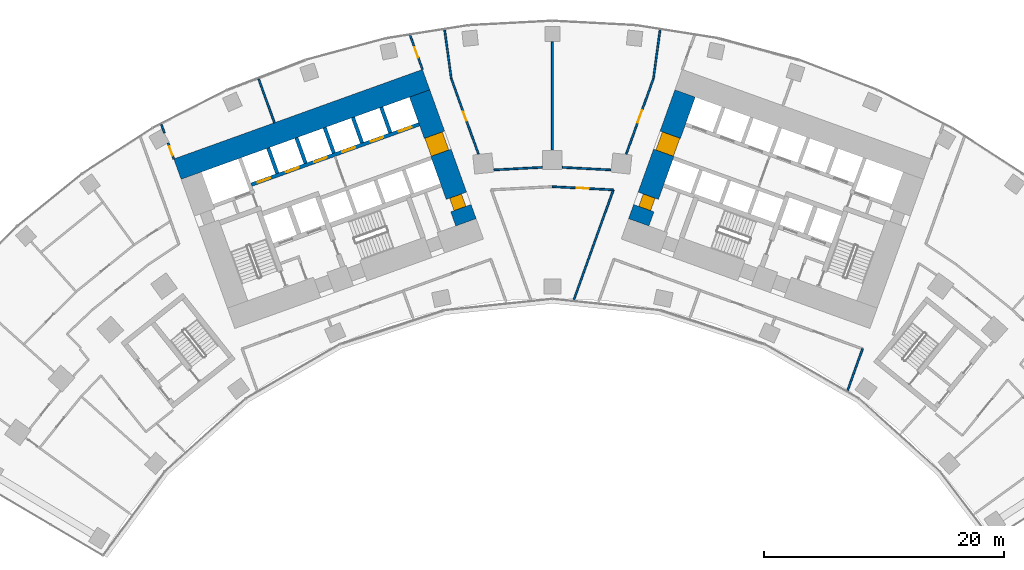
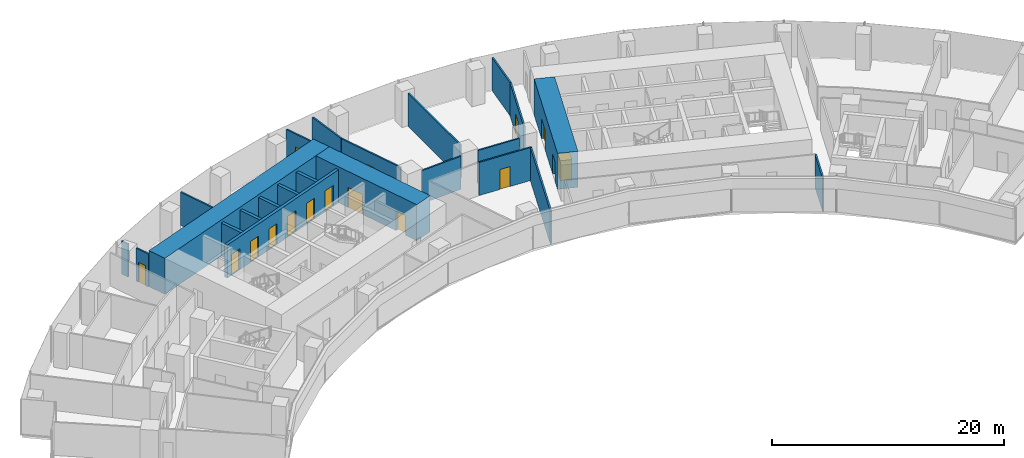
# One storey, part 16 of 21: 23 walls, 15 doors, 15 openings.
"""IFC4 building model written with IfcOpenShell, lengths in metres."""

from ifc_helpers import new_model, si_unit, direction, frame, frame_2d, origin, place, context, subcontext, project, spatial, rectangle, extrude, material, layer, layer_set, type_object, element, fill, save


model = new_model("IFC4")

# Units and contexts
model_context = context("Model", 3, precision=1e-05, world=origin(), true_north=direction((0.0, 1.0)))
body_context = subcontext(model_context, "Body", "Model", "MODEL_VIEW")
ifc_project = project(units=[si_unit("LENGTHUNIT", "METRE"), si_unit("AREAUNIT", "SQUARE_METRE"), si_unit("VOLUMEUNIT", "CUBIC_METRE"), si_unit("PLANEANGLEUNIT", "RADIAN"), si_unit("MASSUNIT", "GRAM", prefix="KILO")], contexts=[model_context])

# Site, building, storey
site_placement = place(None, origin())
site = spatial("IfcSite", under=ifc_project, at=site_placement, CompositionType="ELEMENT")
building_placement = place(site_placement, origin())
building = spatial("IfcBuilding", under=site, at=building_placement, Name="Stone Belt Terrace Tower", CompositionType="ELEMENT")
storey_placement = place(building_placement, frame((0.0, 0.0, 49.0)))
storey = spatial("IfcBuildingStorey", under=building, at=storey_placement, Name="L11", CompositionType="ELEMENT", Elevation=49.0)

# Wall
ifc_material_1 = material(Name="Concrete B80", Category="concrete")
ifc_layer_1 = layer(ifc_material_1, 1.800048828125)
ifc_layer_set_1 = layer_set([ifc_layer_1], Name="Core wall 1800 B80")
wall_type_1 = type_object("IfcWallType", Name="Core wall 1800 B80", PredefinedType="SHEAR", material=ifc_layer_set_1)
wall_1_placement = place(storey_placement, frame((-31.20947265625, 54.23583984375, 0.0), z_axis=(0.0, 0.0, 1.0), x_axis=(0.940922914687, 0.338620833112, 0.0)))
element("IfcWall", 1, at=wall_1_placement, inside=storey, type_object=wall_type_1, Name="Core A wall convex L11", PredefinedType="SHEAR", context=body_context, shape_type="SweptSolid", body=[
    extrude(rectangle(XDim=22.000244140625, YDim=1.800048828125, at=frame_2d((11.0, 0.0))), origin(), (0.0, 0.0, 1.0), 3.800048828125),
])

# Wall, openings, doors
wall_2_placement = place(storey_placement, frame((-7.19091796875, 49.8076171875, 0.0), z_axis=(0.0, 0.0, 1.0), x_axis=(-0.338632255135, 0.940918804033, 0.0)))
wall_2 = element("IfcWall", 2, at=wall_2_placement, inside=storey, type_object=wall_type_1, Name="Core A wall end_b L11", PredefinedType="SHEAR", context=body_context, shape_type="SweptSolid", body=[
    extrude(rectangle(XDim=11.39990234375, YDim=1.800048828125, at=frame_2d((5.699951171875, 0.0))), origin(), (0.0, 0.0, 1.0), 3.800048828125),
])
opening_1_placement = place(wall_2_placement, frame((6.14990234375, 0.0, 0.0)))
opening_1 = element("IfcOpeningElement", 3, at=opening_1_placement, cuts=wall_2, Name="Opening L11-C04", PredefinedType="OPENING", context=body_context, shape_type="SweptSolid", body=[
    extrude(rectangle(XDim=1.60009765625, YDim=2.10009765625, at=frame_2d((0.800048828125, 1.050048828125))), frame((0.0, 0.909912109375, 0.0), z_axis=(0.0, -1.0, 0.0), x_axis=(1.0, 0.0, 0.0)), (0.0, 0.0, 1.0), 1.820068359375),
])
opening_2_placement = place(wall_2_placement, frame((1.25, 0.0, 0.0)))
opening_2 = element("IfcOpeningElement", 4, at=opening_2_placement, cuts=wall_2, Name="Opening L11-C10", PredefinedType="OPENING", context=body_context, shape_type="SweptSolid", body=[
    extrude(rectangle(XDim=1.10009765625, YDim=2.10009765625, at=frame_2d((0.550048828125, 1.050048828125))), frame((0.0, 0.909912109375, 0.0), z_axis=(0.0, -1.0, 0.0), x_axis=(1.0, 0.0, 0.0)), (0.0, 0.0, 1.0), 1.820068359375),
])
ifc_material_2 = material(Name="Timber door leaf", Category="wood")
door_type_1 = type_object("IfcDoorType", Name="Core room door 1100", OperationType="SINGLE_SWING_LEFT", PredefinedType="DOOR", material=ifc_material_2)
door_1_placement = place(opening_2_placement, origin())
door_1 = element("IfcDoor", 5, at=door_1_placement, inside=storey, type_object=door_type_1, Name="Door to Cleaner's store core A", OperationType="SINGLE_SWING_RIGHT", OverallHeight=2.10009765625, OverallWidth=1.10009765625, PredefinedType="DOOR", context=body_context, shape_type="SweptSolid", body=[
    extrude(rectangle(XDim=1.10009765625, YDim=2.10009765625, at=frame_2d((0.550048828125, 1.050048828125))), frame((0.0, 0.60498046875, 0.0), z_axis=(0.0, -1.0, 0.0), x_axis=(1.0, 0.0, 0.0)), (0.0, 0.0, 1.0), 1.050048828125),
])
fill(opening_2, door_1)
ifc_material_3 = material(Name="Glazed aluminium door leaf", Category="aluminium")
door_type_2 = type_object("IfcDoorType", Name="Lift lobby entrance door 1600", OperationType="DOUBLE_DOOR_SINGLE_SWING", PredefinedType="DOOR", material=ifc_material_3)
door_2_placement = place(opening_1_placement, origin())
door_2 = element("IfcDoor", 6, at=door_2_placement, inside=storey, type_object=door_type_2, Name="Lift lobby entrance door core A", OperationType="DOUBLE_DOOR_SINGLE_SWING", OverallHeight=2.10009765625, OverallWidth=1.60009765625, PredefinedType="DOOR", context=body_context, shape_type="SweptSolid", body=[
    extrude(rectangle(XDim=1.60009765625, YDim=2.10009765625, at=frame_2d((0.800048828125, 1.050048828125))), frame((0.0, 0.85498046875, 0.0), z_axis=(0.0, -1.0, 0.0), x_axis=(1.0, 0.0, 0.0)), (0.0, 0.0, 1.0), 1.550048828125),
])
fill(opening_1, door_2)

wall_3_placement = place(storey_placement, frame((7.19091796875, 49.8076171875, 0.0), z_axis=(0.0, 0.0, 1.0), x_axis=(0.338632255135, 0.940918804033, 0.0)))
wall_3 = element("IfcWall", 7, at=wall_3_placement, inside=storey, type_object=wall_type_1, Name="Core B wall end_a L11", PredefinedType="SHEAR", context=body_context, shape_type="SweptSolid", body=[
    extrude(rectangle(XDim=11.39990234375, YDim=1.800048828125, at=frame_2d((5.699951171875, 0.0))), origin(), (0.0, 0.0, 1.0), 3.800048828125),
])
opening_3_placement = place(wall_3_placement, frame((6.14990234375, 0.0, 0.0)))
opening_3 = element("IfcOpeningElement", 8, at=opening_3_placement, cuts=wall_3, Name="Opening L11-C15", PredefinedType="OPENING", context=body_context, shape_type="SweptSolid", body=[
    extrude(rectangle(XDim=1.60009765625, YDim=2.10009765625, at=frame_2d((0.800048828125, 1.050048828125))), frame((0.0, 0.909912109375, 0.0), z_axis=(0.0, -1.0, 0.0), x_axis=(1.0, 0.0, 0.0)), (0.0, 0.0, 1.0), 1.820068359375),
])
opening_4_placement = place(wall_3_placement, frame((1.25, 0.0, 0.0)))
opening_4 = element("IfcOpeningElement", 9, at=opening_4_placement, cuts=wall_3, Name="Opening L11-C21", PredefinedType="OPENING", context=body_context, shape_type="SweptSolid", body=[
    extrude(rectangle(XDim=1.10009765625, YDim=2.10009765625, at=frame_2d((0.550048828125, 1.050048828125))), frame((0.0, 0.909912109375, 0.0), z_axis=(0.0, -1.0, 0.0), x_axis=(1.0, 0.0, 0.0)), (0.0, 0.0, 1.0), 1.820068359375),
])
door_3_placement = place(opening_4_placement, origin())
door_3 = element("IfcDoor", 10, at=door_3_placement, inside=storey, type_object=door_type_1, Name="Door to Cleaner's store core B", OperationType="SINGLE_SWING_LEFT", OverallHeight=2.10009765625, OverallWidth=1.10009765625, PredefinedType="DOOR", context=body_context, shape_type="SweptSolid", body=[
    extrude(rectangle(XDim=1.10009765625, YDim=2.10009765625, at=frame_2d((0.550048828125, 1.050048828125))), frame((0.0, 0.44482421875, 0.0), z_axis=(0.0, -1.0, 0.0), x_axis=(1.0, 0.0, 0.0)), (0.0, 0.0, 1.0), 1.050048828125),
])
fill(opening_4, door_3)
door_4_placement = place(opening_3_placement, origin())
door_4 = element("IfcDoor", 11, at=door_4_placement, inside=storey, type_object=door_type_2, Name="Lift lobby entrance door core B", OperationType="DOUBLE_DOOR_SINGLE_SWING", OverallHeight=2.10009765625, OverallWidth=1.60009765625, PredefinedType="DOOR", context=body_context, shape_type="SweptSolid", body=[
    extrude(rectangle(XDim=1.60009765625, YDim=2.10009765625, at=frame_2d((0.800048828125, 1.050048828125))), frame((0.0, 0.69482421875, 0.0), z_axis=(0.0, -1.0, 0.0), x_axis=(1.0, 0.0, 0.0)), (0.0, 0.0, 1.0), 1.550048828125),
])
fill(opening_3, door_4)

ifc_layer_2 = layer(ifc_material_1, 0.300048828125)
ifc_layer_set_2 = layer_set([ifc_layer_2], Name="Lift shaft wall 300")
wall_type_2 = type_object("IfcWallType", Name="Lift shaft wall 300", PredefinedType="SHEAR", material=ifc_layer_set_2)
wall_4_placement = place(storey_placement, frame((-25.05810546875, 52.9423828125, 0.0), z_axis=(0.0, 0.0, 1.0), x_axis=(0.940918215764, 0.338633889685, 0.0)))
wall_4 = element("IfcWall", 12, at=wall_4_placement, inside=storey, type_object=wall_type_2, Name="Core A wall", PredefinedType="SHEAR", context=body_context, shape_type="SweptSolid", body=[
    extrude(rectangle(XDim=14.850341796875, YDim=0.300048828125, at=frame_2d((7.42529296875, 0.0))), origin(), (0.0, 0.0, 1.0), 3.47998046875),
])
opening_5_placement = place(wall_4_placement, frame((0.570068359375, 0.0, 0.0)))
opening_5 = element("IfcOpeningElement", 13, at=opening_5_placement, cuts=wall_4, Name="Opening L11-LD01", PredefinedType="OPENING", context=body_context, shape_type="SweptSolid", body=[
    extrude(rectangle(XDim=1.10009765625, YDim=2.199951171875, at=frame_2d((0.550048828125, 1.10009765625))), frame((0.0, 0.159912109375, 0.0), z_axis=(0.0, -1.0, 0.0), x_axis=(1.0, 0.0, 0.0)), (0.0, 0.0, 1.0), 0.320068359375),
])
opening_6_placement = place(wall_4_placement, frame((3.070068359375, 0.0, 0.0)))
opening_6 = element("IfcOpeningElement", 14, at=opening_6_placement, cuts=wall_4, Name="Opening L11-LD02", PredefinedType="OPENING", context=body_context, shape_type="SweptSolid", body=[
    extrude(rectangle(XDim=1.10009765625, YDim=2.199951171875, at=frame_2d((0.550048828125, 1.10009765625))), frame((0.0, 0.159912109375, 0.0), z_axis=(0.0, -1.0, 0.0), x_axis=(1.0, 0.0, 0.0)), (0.0, 0.0, 1.0), 0.320068359375),
])
opening_7_placement = place(wall_4_placement, frame((5.570068359375, 0.0, 0.0)))
opening_7 = element("IfcOpeningElement", 15, at=opening_7_placement, cuts=wall_4, Name="Opening L11-LD03", PredefinedType="OPENING", context=body_context, shape_type="SweptSolid", body=[
    extrude(rectangle(XDim=1.10009765625, YDim=2.199951171875, at=frame_2d((0.550048828125, 1.10009765625))), frame((0.0, 0.159912109375, 0.0), z_axis=(0.0, -1.0, 0.0), x_axis=(1.0, 0.0, 0.0)), (0.0, 0.0, 1.0), 0.320068359375),
])
opening_8_placement = place(wall_4_placement, frame((8.070068359375, 0.0, 0.0)))
opening_8 = element("IfcOpeningElement", 16, at=opening_8_placement, cuts=wall_4, Name="Opening L11-LD04", PredefinedType="OPENING", context=body_context, shape_type="SweptSolid", body=[
    extrude(rectangle(XDim=1.10009765625, YDim=2.199951171875, at=frame_2d((0.550048828125, 1.10009765625))), frame((0.0, 0.159912109375, 0.0), z_axis=(0.0, -1.0, 0.0), x_axis=(1.0, 0.0, 0.0)), (0.0, 0.0, 1.0), 0.320068359375),
])
opening_9_placement = place(wall_4_placement, frame((10.570068359375, 0.0, 0.0)))
opening_9 = element("IfcOpeningElement", 17, at=opening_9_placement, cuts=wall_4, Name="Opening L11-LD05", PredefinedType="OPENING", context=body_context, shape_type="SweptSolid", body=[
    extrude(rectangle(XDim=1.10009765625, YDim=2.199951171875, at=frame_2d((0.550048828125, 1.10009765625))), frame((0.0, 0.159912109375, 0.0), z_axis=(0.0, -1.0, 0.0), x_axis=(1.0, 0.0, 0.0)), (0.0, 0.0, 1.0), 0.320068359375),
])
opening_10_placement = place(wall_4_placement, frame((13.070068359375, 0.0, 0.0)))
opening_10 = element("IfcOpeningElement", 18, at=opening_10_placement, cuts=wall_4, Name="Opening L11-LD06", PredefinedType="OPENING", context=body_context, shape_type="SweptSolid", body=[
    extrude(rectangle(XDim=1.10009765625, YDim=2.199951171875, at=frame_2d((0.550048828125, 1.10009765625))), frame((0.0, 0.159912109375, 0.0), z_axis=(0.0, -1.0, 0.0), x_axis=(1.0, 0.0, 0.0)), (0.0, 0.0, 1.0), 0.320068359375),
])
ifc_material_4 = material(Name="Stainless steel door leaf", Category="steel")
door_type_3 = type_object("IfcDoorType", Name="Landing door 1100", OperationType="SLIDING_TO_LEFT", PredefinedType="DOOR", material=ifc_material_4)
door_5_placement = place(opening_5_placement, origin())
door_5 = element("IfcDoor", 19, at=door_5_placement, inside=storey, type_object=door_type_3, Name="Landing door LR1 core A", OperationType="SLIDING_TO_LEFT", OverallHeight=2.199951171875, OverallWidth=1.10009765625, PredefinedType="DOOR", context=body_context, shape_type="SweptSolid", body=[
    extrude(rectangle(XDim=1.10009765625, YDim=2.199951171875, at=frame_2d((0.550048828125, 1.10009765625))), frame((0.0, 0.02490234375, 0.0), z_axis=(0.0, -1.0, 0.0), x_axis=(1.0, 0.0, 0.0)), (0.0, 0.0, 1.0), 0.050048828125),
])
fill(opening_5, door_5)
door_6_placement = place(opening_6_placement, origin())
door_6 = element("IfcDoor", 20, at=door_6_placement, inside=storey, type_object=door_type_3, Name="Landing door LR2 core A", OperationType="SLIDING_TO_LEFT", OverallHeight=2.199951171875, OverallWidth=1.10009765625, PredefinedType="DOOR", context=body_context, shape_type="SweptSolid", body=[
    extrude(rectangle(XDim=1.10009765625, YDim=2.199951171875, at=frame_2d((0.550048828125, 1.10009765625))), frame((0.0, 0.02490234375, 0.0), z_axis=(0.0, -1.0, 0.0), x_axis=(1.0, 0.0, 0.0)), (0.0, 0.0, 1.0), 0.050048828125),
])
fill(opening_6, door_6)
door_7_placement = place(opening_7_placement, origin())
door_7 = element("IfcDoor", 21, at=door_7_placement, inside=storey, type_object=door_type_3, Name="Landing door LR3 core A", OperationType="SLIDING_TO_LEFT", OverallHeight=2.199951171875, OverallWidth=1.10009765625, PredefinedType="DOOR", context=body_context, shape_type="SweptSolid", body=[
    extrude(rectangle(XDim=1.10009765625, YDim=2.199951171875, at=frame_2d((0.550048828125, 1.10009765625))), frame((0.0, 0.02490234375, 0.0), z_axis=(0.0, -1.0, 0.0), x_axis=(1.0, 0.0, 0.0)), (0.0, 0.0, 1.0), 0.050048828125),
])
fill(opening_7, door_7)
door_8_placement = place(opening_8_placement, origin())
door_8 = element("IfcDoor", 22, at=door_8_placement, inside=storey, type_object=door_type_3, Name="Landing door LR4 core A", OperationType="SLIDING_TO_LEFT", OverallHeight=2.199951171875, OverallWidth=1.10009765625, PredefinedType="DOOR", context=body_context, shape_type="SweptSolid", body=[
    extrude(rectangle(XDim=1.10009765625, YDim=2.199951171875, at=frame_2d((0.550048828125, 1.10009765625))), frame((0.0, 0.02490234375, 0.0), z_axis=(0.0, -1.0, 0.0), x_axis=(1.0, 0.0, 0.0)), (0.0, 0.0, 1.0), 0.050048828125),
])
fill(opening_8, door_8)
door_9_placement = place(opening_9_placement, origin())
door_9 = element("IfcDoor", 23, at=door_9_placement, inside=storey, type_object=door_type_3, Name="Landing door LR5 core A", OperationType="SLIDING_TO_LEFT", OverallHeight=2.199951171875, OverallWidth=1.10009765625, PredefinedType="DOOR", context=body_context, shape_type="SweptSolid", body=[
    extrude(rectangle(XDim=1.10009765625, YDim=2.199951171875, at=frame_2d((0.550048828125, 1.10009765625))), frame((0.0, 0.02490234375, 0.0), z_axis=(0.0, -1.0, 0.0), x_axis=(1.0, 0.0, 0.0)), (0.0, 0.0, 1.0), 0.050048828125),
])
fill(opening_9, door_9)
door_10_placement = place(opening_10_placement, origin())
door_10 = element("IfcDoor", 24, at=door_10_placement, inside=storey, type_object=door_type_3, Name="Landing door LR6 core A", OperationType="SLIDING_TO_LEFT", OverallHeight=2.199951171875, OverallWidth=1.10009765625, PredefinedType="DOOR", context=body_context, shape_type="SweptSolid", body=[
    extrude(rectangle(XDim=1.10009765625, YDim=2.199951171875, at=frame_2d((0.550048828125, 1.10009765625))), frame((0.0, 0.02490234375, 0.0), z_axis=(0.0, -1.0, 0.0), x_axis=(1.0, 0.0, 0.0)), (0.0, 0.0, 1.0), 0.050048828125),
])
fill(opening_10, door_10)

# Walls
wall_5_placement = place(storey_placement, frame((-22.897705078125, 53.87939453125, 0.0), z_axis=(0.0, 0.0, 1.0), x_axis=(-0.338535034312, 0.940953787677, 0.0)))
element("IfcWall", 25, at=wall_5_placement, inside=storey, type_object=wall_type_2, Name="Core A wall", PredefinedType="SHEAR", context=body_context, shape_type="SweptSolid", body=[
    extrude(rectangle(XDim=2.25, YDim=0.300048828125, at=frame_2d((1.125, 0.0))), origin(), (0.0, 0.0, 1.0), 3.47998046875),
])
wall_6_placement = place(storey_placement, frame((-20.54541015625, 54.72607421875, 0.0), z_axis=(0.0, 0.0, 1.0), x_axis=(-0.338569601369, 0.940941350472, 0.0)))
element("IfcWall", 26, at=wall_6_placement, inside=storey, type_object=wall_type_2, Name="Core A wall", PredefinedType="SHEAR", context=body_context, shape_type="SweptSolid", body=[
    extrude(rectangle(XDim=2.249755859375, YDim=0.300048828125, at=frame_2d((1.125, 0.0))), origin(), (0.0, 0.0, 1.0), 3.47998046875),
])
wall_7_placement = place(storey_placement, frame((-18.193115234375, 55.572509765625, 0.0), z_axis=(0.0, 0.0, 1.0), x_axis=(-0.338535034312, 0.940953787677, 0.0)))
element("IfcWall", 27, at=wall_7_placement, inside=storey, type_object=wall_type_2, Name="Core A wall", PredefinedType="SHEAR", context=body_context, shape_type="SweptSolid", body=[
    extrude(rectangle(XDim=2.25, YDim=0.300048828125, at=frame_2d((1.125, 0.0))), origin(), (0.0, 0.0, 1.0), 3.47998046875),
])
wall_8_placement = place(storey_placement, frame((-15.8408203125, 56.419189453125, 0.0), z_axis=(0.0, 0.0, 1.0), x_axis=(-0.338569601369, 0.940941350472, 0.0)))
element("IfcWall", 28, at=wall_8_placement, inside=storey, type_object=wall_type_2, Name="Core A wall", PredefinedType="SHEAR", context=body_context, shape_type="SweptSolid", body=[
    extrude(rectangle(XDim=2.249755859375, YDim=0.300048828125, at=frame_2d((1.125, 0.0))), origin(), (0.0, 0.0, 1.0), 3.47998046875),
])
wall_9_placement = place(storey_placement, frame((-13.48828125, 57.265625, 0.0), z_axis=(0.0, 0.0, 1.0), x_axis=(-0.338631098537, 0.940919220286, 0.0)))
element("IfcWall", 29, at=wall_9_placement, inside=storey, type_object=wall_type_2, Name="Core A wall", PredefinedType="SHEAR", context=body_context, shape_type="SweptSolid", body=[
    extrude(rectangle(XDim=2.250244140625, YDim=0.300048828125, at=frame_2d((1.125, 0.0))), origin(), (0.0, 0.0, 1.0), 3.47998046875),
])
ifc_material_5 = material(Name="Gypsum board partition")
ifc_layer_3 = layer(ifc_material_5, 0.14990234375)
ifc_layer_set_3 = layer_set([ifc_layer_3], Name="PARTITION 150 EI 60")
wall_type_3 = type_object("IfcWallType", Name="PARTITION 150 EI 60", PredefinedType="PARTITIONING", material=ifc_layer_set_3)
wall_10_placement = place(storey_placement, frame((-32.5458984375, 57.947998046875, 0.0), z_axis=(0.0, 0.0, 1.0), x_axis=(0.338960201827, -0.940800712998, 0.0)))
element("IfcWall", 30, at=wall_10_placement, inside=storey, type_object=wall_type_3, Name="L11/wall/i002", PredefinedType="PARTITIONING", context=body_context, shape_type="SweptSolid", body=[
    extrude(rectangle(XDim=0.754150390625, YDim=0.14990234375, at=frame_2d((0.376953125, 0.0))), origin(), (0.0, 0.0, 1.0), 3.47998046875),
])

# Wall, opening, door
wall_11_placement = place(storey_placement, frame((-31.98681640625, 56.39599609375, 0.0), z_axis=(0.0, 0.0, 1.0), x_axis=(0.338861945182, -0.940836107995, 0.0)))
wall_11 = element("IfcWall", 31, at=wall_11_placement, inside=storey, type_object=wall_type_3, Name="L11/wall/i003", PredefinedType="PARTITIONING", context=body_context, shape_type="SweptSolid", body=[
    extrude(rectangle(XDim=1.3955078125, YDim=0.14990234375, at=frame_2d((0.69775390625, 0.0))), origin(), (0.0, 0.0, 1.0), 3.47998046875),
])
opening_11_placement = place(wall_11_placement, frame((0.2978515625, 0.0, 0.0)))
opening_11 = element("IfcOpeningElement", 32, at=opening_11_placement, cuts=wall_11, Name="Opening D-A3-04", PredefinedType="OPENING", context=body_context, shape_type="SweptSolid", body=[
    extrude(rectangle(XDim=0.800048828125, YDim=2.10009765625, at=frame_2d((0.39990234375, 1.050048828125))), frame((0.0, 0.0849609375, 0.0), z_axis=(0.0, -1.0, 0.0), x_axis=(1.0, 0.0, 0.0)), (0.0, 0.0, 1.0), 0.169921875),
])
door_type_4 = type_object("IfcDoorType", Name="STORE DOOR 800 X 2100", OperationType="NOTDEFINED", PredefinedType="DOOR", material=ifc_material_2)
door_11_placement = place(opening_11_placement, origin())
door_11 = element("IfcDoor", 33, at=door_11_placement, inside=storey, type_object=door_type_4, Name="L11/door/i04", OperationType="SINGLE_SWING_RIGHT", OverallHeight=2.10009765625, OverallWidth=0.800048828125, PredefinedType="DOOR", context=body_context, shape_type="SweptSolid", body=[
    extrude(rectangle(XDim=0.800048828125, YDim=2.10009765625, at=frame_2d((0.39990234375, 1.050048828125))), frame((0.0, 0.02490234375, 0.0), z_axis=(0.0, -1.0, 0.0), x_axis=(1.0, 0.0, 0.0)), (0.0, 0.0, 1.0), 0.050048828125),
])
fill(opening_11, door_11)

wall_12_placement = place(storey_placement, frame((-10.81396484375, 62.531982421875, 0.0), z_axis=(0.0, 0.0, 1.0), x_axis=(-0.338630302468, 0.940919506786, 0.0)))
wall_12 = element("IfcWall", 34, at=wall_12_placement, inside=storey, type_object=wall_type_3, Name="L11/wall/i007", PredefinedType="PARTITIONING", context=body_context, shape_type="SweptSolid", body=[
    extrude(rectangle(XDim=3.005615234375, YDim=0.14990234375, at=frame_2d((1.5029296875, 0.0))), origin(), (0.0, 0.0, 1.0), 3.47998046875),
])
opening_12_placement = place(wall_12_placement, frame((1.052734375, 0.0, 0.0)))
opening_12 = element("IfcOpeningElement", 35, at=opening_12_placement, cuts=wall_12, Name="Opening D-A3-05", PredefinedType="OPENING", context=body_context, shape_type="SweptSolid", body=[
    extrude(rectangle(XDim=0.89990234375, YDim=2.10009765625, at=frame_2d((0.449951171875, 1.050048828125))), frame((0.0, 0.0849609375, 0.0), z_axis=(0.0, -1.0, 0.0), x_axis=(1.0, 0.0, 0.0)), (0.0, 0.0, 1.0), 0.169921875),
])
door_type_5 = type_object("IfcDoorType", Name="OFFICE DOOR 900 X 2100", OperationType="NOTDEFINED", PredefinedType="DOOR", material=ifc_material_2)
door_12_placement = place(opening_12_placement, origin())
door_12 = element("IfcDoor", 36, at=door_12_placement, inside=storey, type_object=door_type_5, Name="L11/door/i05", OperationType="SINGLE_SWING_RIGHT", OverallHeight=2.10009765625, OverallWidth=0.89990234375, PredefinedType="DOOR", context=body_context, shape_type="SweptSolid", body=[
    extrude(rectangle(XDim=0.89990234375, YDim=2.10009765625, at=frame_2d((0.449951171875, 1.050048828125))), frame((0.0, 0.02490234375, 0.0), z_axis=(0.0, -1.0, 0.0), x_axis=(1.0, 0.0, 0.0)), (0.0, 0.0, 1.0), 0.050048828125),
])
fill(opening_12, door_12)

# Wall
wall_13_placement = place(storey_placement, frame((-8.964599609375, 65.815185546875, 0.0), z_axis=(0.0, 0.0, 1.0), x_axis=(0.134854339568, -0.990865433396, 0.0)))
element("IfcWall", 37, at=wall_13_placement, inside=storey, type_object=wall_type_3, Name="L11/wall/i009", PredefinedType="PARTITIONING", context=body_context, shape_type="SweptSolid", body=[
    extrude(rectangle(XDim=4.08251953125, YDim=0.14990234375, at=frame_2d((2.041259765625, 0.0))), origin(), (0.0, 0.0, 1.0), 3.47998046875),
])

# Wall, opening, door
wall_14_placement = place(storey_placement, frame((-8.4140625, 61.76904296875, 0.0), z_axis=(0.0, 0.0, 1.0), x_axis=(0.338630067573, -0.940919591323, 0.0)))
wall_14 = element("IfcWall", 38, at=wall_14_placement, inside=storey, type_object=wall_type_3, Name="L11/wall/i010", PredefinedType="PARTITIONING", context=body_context, shape_type="SweptSolid", body=[
    extrude(rectangle(XDim=6.672607421875, YDim=0.14990234375, at=frame_2d((3.33642578125, 0.0))), origin(), (0.0, 0.0, 1.0), 3.47998046875),
])
opening_13_placement = place(wall_14_placement, frame((2.936279296875, 0.0, 0.0)))
opening_13 = element("IfcOpeningElement", 39, at=opening_13_placement, cuts=wall_14, Name="Opening D-A3-28", PredefinedType="OPENING", context=body_context, shape_type="SweptSolid", body=[
    extrude(rectangle(XDim=0.800048828125, YDim=2.10009765625, at=frame_2d((0.39990234375, 1.050048828125))), frame((0.0, 0.0849609375, 0.0), z_axis=(0.0, -1.0, 0.0), x_axis=(1.0, 0.0, 0.0)), (0.0, 0.0, 1.0), 0.169921875),
])
door_13_placement = place(opening_13_placement, origin())
door_13 = element("IfcDoor", 40, at=door_13_placement, inside=storey, type_object=door_type_4, Name="L11/door/i28", OperationType="SINGLE_SWING_RIGHT", OverallHeight=2.10009765625, OverallWidth=0.800048828125, PredefinedType="DOOR", context=body_context, shape_type="SweptSolid", body=[
    extrude(rectangle(XDim=0.800048828125, YDim=2.10009765625, at=frame_2d((0.39990234375, 1.050048828125))), frame((0.0, 0.02490234375, 0.0), z_axis=(0.0, -1.0, 0.0), x_axis=(1.0, 0.0, 0.0)), (0.0, 0.0, 1.0), 0.050048828125),
])
fill(opening_13, door_13)

# Walls
wall_15_placement = place(storey_placement, frame((-24.451904296875, 61.7470703125, 0.0), z_axis=(0.0, 0.0, 1.0), x_axis=(0.338699412, -0.940894631886, 0.0)))
element("IfcWall", 41, at=wall_15_placement, inside=storey, type_object=wall_type_3, Name="L11/wall/i016", PredefinedType="PARTITIONING", context=body_context, shape_type="SweptSolid", body=[
    extrude(rectangle(XDim=3.87939453125, YDim=0.14990234375, at=frame_2d((1.939697265625, 0.0))), origin(), (0.0, 0.0, 1.0), 3.47998046875),
])
wall_16_placement = place(storey_placement, frame((1.771240234375, 43.313720703125, 0.0), z_axis=(0.0, 0.0, 1.0), x_axis=(0.338660235858, 0.940908733432, 0.0)))
element("IfcWall", 42, at=wall_16_placement, inside=storey, type_object=wall_type_3, Name="L11/wall/i019", PredefinedType="PARTITIONING", context=body_context, shape_type="SweptSolid", body=[
    extrude(rectangle(XDim=9.779052734375, YDim=0.14990234375, at=frame_2d((4.8896484375, 0.0))), origin(), (0.0, 0.0, 1.0), 3.47998046875),
])

# Wall, opening, door
wall_17_placement = place(storey_placement, frame((6.154541015625, 55.49072265625, 0.0), z_axis=(0.0, 0.0, 1.0), x_axis=(0.338630067573, 0.940919591323, 0.0)))
wall_17 = element("IfcWall", 43, at=wall_17_placement, inside=storey, type_object=wall_type_3, Name="L11/wall/i020", PredefinedType="PARTITIONING", context=body_context, shape_type="SweptSolid", body=[
    extrude(rectangle(XDim=6.672607421875, YDim=0.14990234375, at=frame_2d((3.33642578125, 0.0))), origin(), (0.0, 0.0, 1.0), 3.47998046875),
])
opening_14_placement = place(wall_17_placement, frame((2.786376953125, 0.0, 0.0)))
opening_14 = element("IfcOpeningElement", 44, at=opening_14_placement, cuts=wall_17, Name="Opening D-A3-29", PredefinedType="OPENING", context=body_context, shape_type="SweptSolid", body=[
    extrude(rectangle(XDim=1.10009765625, YDim=2.10009765625, at=frame_2d((0.550048828125, 1.050048828125))), frame((0.0, 0.0849609375, 0.0), z_axis=(0.0, -1.0, 0.0), x_axis=(1.0, 0.0, 0.0)), (0.0, 0.0, 1.0), 0.169921875),
])
ifc_material_6 = material(Name="Steel fire door set", Category="steel")
door_type_6 = type_object("IfcDoorType", Name="SERVICE ROOM DOOR 1100 X 2100", OperationType="NOTDEFINED", PredefinedType="DOOR", material=ifc_material_6)
door_14_placement = place(opening_14_placement, origin())
door_14 = element("IfcDoor", 45, at=door_14_placement, inside=storey, type_object=door_type_6, Name="L11/door/i29", OperationType="SINGLE_SWING_RIGHT", OverallHeight=2.10009765625, OverallWidth=1.10009765625, PredefinedType="DOOR", context=body_context, shape_type="SweptSolid", body=[
    extrude(rectangle(XDim=1.10009765625, YDim=2.10009765625, at=frame_2d((0.550048828125, 1.050048828125))), frame((0.0, 0.02490234375, 0.0), z_axis=(0.0, -1.0, 0.0), x_axis=(1.0, 0.0, 0.0)), (0.0, 0.0, 1.0), 0.050048828125),
])
fill(opening_14, door_14)

# Walls
wall_18_placement = place(storey_placement, frame((8.4140625, 61.77001953125, 0.0), z_axis=(0.0, 0.0, 1.0), x_axis=(0.134854339568, 0.990865433396, 0.0)))
element("IfcWall", 46, at=wall_18_placement, inside=storey, type_object=wall_type_3, Name="L11/wall/i021", PredefinedType="PARTITIONING", context=body_context, shape_type="SweptSolid", body=[
    extrude(rectangle(XDim=4.08251953125, YDim=0.14990234375, at=frame_2d((2.041259765625, 0.0))), origin(), (0.0, 0.0, 1.0), 3.47998046875),
])
wall_19_placement = place(storey_placement, frame((24.56494140625, 35.771728515625, 0.0), z_axis=(0.0, 0.0, 1.0), x_axis=(0.338392582605, 0.941005026574, 0.0)))
element("IfcWall", 47, at=wall_19_placement, inside=storey, type_object=wall_type_3, Name="L11/wall/i022", PredefinedType="PARTITIONING", context=body_context, shape_type="SweptSolid", body=[
    extrude(rectangle(XDim=3.729248046875, YDim=0.14990234375, at=frame_2d((1.86474609375, 0.0))), origin(), (0.0, 0.0, 1.0), 3.47998046875),
])

# Wall, opening, door
wall_20_placement = place(storey_placement, frame((5.0810546875, 52.509033203125, 0.0), z_axis=(0.0, 0.0, 1.0), x_axis=(-0.99863382154, 0.052254095313, 0.0)))
wall_20 = element("IfcWall", 48, at=wall_20_placement, inside=storey, type_object=wall_type_3, Name="L11/wall/i082", PredefinedType="PARTITIONING", context=body_context, shape_type="SweptSolid", body=[
    extrude(rectangle(XDim=5.087890625, YDim=0.14990234375, at=frame_2d((2.5439453125, 0.0))), origin(), (0.0, 0.0, 1.0), 3.47998046875),
])
opening_15_placement = place(wall_20_placement, frame((2.0439453125, 0.0, 0.0)))
opening_15 = element("IfcOpeningElement", 49, at=opening_15_placement, cuts=wall_20, Name="Opening D-A3-27", PredefinedType="OPENING", context=body_context, shape_type="SweptSolid", body=[
    extrude(rectangle(XDim=1.0, YDim=2.10009765625, at=frame_2d((0.5, 1.050048828125))), frame((0.0, 0.0849609375, 0.0), z_axis=(0.0, -1.0, 0.0), x_axis=(1.0, 0.0, 0.0)), (0.0, 0.0, 1.0), 0.169921875),
])
ifc_material_7 = material(Name="Timber fire door leaf", Category="wood")
door_type_7 = type_object("IfcDoorType", Name="TENANCY ENTRANCE DOOR 1000 X 2100", OperationType="NOTDEFINED", PredefinedType="DOOR", material=ifc_material_7)
door_15_placement = place(opening_15_placement, origin())
door_15 = element("IfcDoor", 50, at=door_15_placement, inside=storey, type_object=door_type_7, Name="L11/door/i27", OperationType="SINGLE_SWING_RIGHT", OverallHeight=2.10009765625, OverallWidth=1.0, PredefinedType="DOOR", context=body_context, shape_type="SweptSolid", body=[
    extrude(rectangle(XDim=1.0, YDim=2.10009765625, at=frame_2d((0.5, 1.050048828125))), frame((0.0, 0.02490234375, 0.0), z_axis=(0.0, -1.0, 0.0), x_axis=(1.0, 0.0, 0.0)), (0.0, 0.0, 1.0), 0.050048828125),
])
fill(opening_15, door_15)

# Walls
for number, where, z_axis, x_axis, name in (
    (51, (-4.85888671875, 54.170166015625, 0.0), (0.0, 0.0, 1.0), (0.998625841842, 0.052406373714, 0.0), "L11/wall/i084"),
    (52, (0.830078125, 54.381591796875, 0.0), (0.0, 0.0, 1.0), (0.998625841842, -0.052406373714, 0.0), "L11/wall/i085"),
):
    element("IfcWall", number, at=place(storey_placement, frame(where, z_axis=z_axis, x_axis=x_axis)), inside=storey, type_object=wall_type_3, Name=name, PredefinedType="PARTITIONING", context=body_context, shape_type="SweptSolid", body=[
        extrude(rectangle(XDim=4.034423828125, YDim=0.14990234375, at=frame_2d((2.01708984375, 0.0))), origin(), (0.0, 0.0, 1.0), 3.47998046875),
    ])
wall_21_placement = place(storey_placement, frame((0.0, 64.833984375, 0.0), z_axis=(0.0, 0.0, 1.0), x_axis=(0.0, -1.0, 0.0)))
element("IfcWall", 53, at=wall_21_placement, inside=storey, type_object=wall_type_3, Name="L11/wall/i086", PredefinedType="PARTITIONING", context=body_context, shape_type="SweptSolid", body=[
    extrude(rectangle(XDim=9.00390625, YDim=0.14990234375, at=frame_2d((4.501953125, 0.0))), origin(), (0.0, 0.0, 1.0), 3.47998046875),
])

save(model, "model.ifc")
